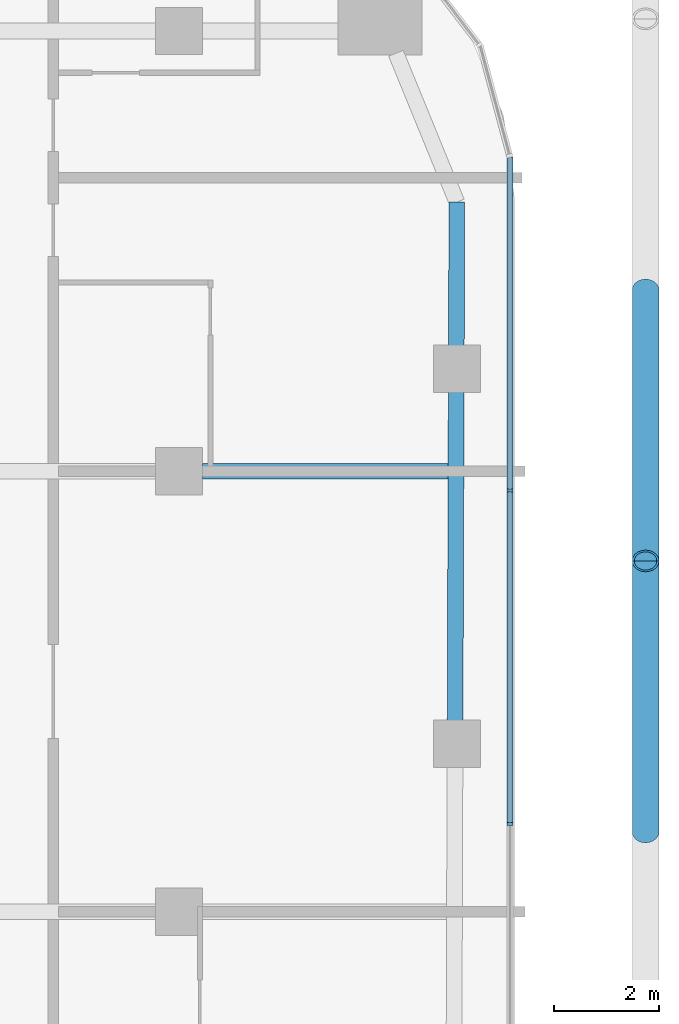
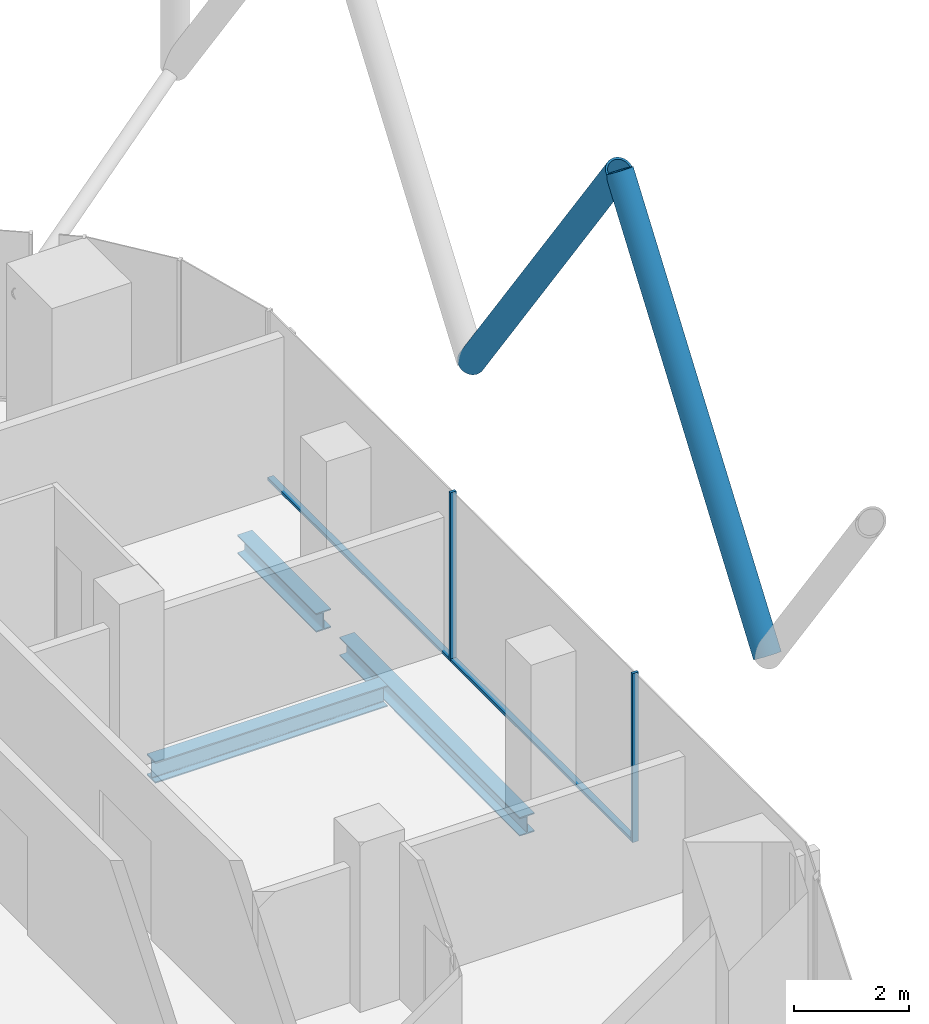
# One storey, part 13 of 33: 6 members, 3 beams, 1 element without a shape of its own.
"""IFC4 building model written with IfcOpenShell, lengths in metres."""

from ifc_helpers import new_model, si_unit, direction, frame, origin, origin_2d, place, context, subcontext, project, spatial, rectangle, hollow_circle, i_section, extrude, material, layer, layer_set, material_profile, profile_set, type_object, element, aggregate, save


model = new_model("IFC4")

# Units and contexts
model_context = context("Model", 3, precision=1e-05, world=origin(), true_north=direction((0.0, 1.0)))
body_context = subcontext(model_context, "Body", "Model", "MODEL_VIEW")
ifc_project = project(units=[si_unit("LENGTHUNIT", "METRE"), si_unit("AREAUNIT", "SQUARE_METRE"), si_unit("VOLUMEUNIT", "CUBIC_METRE"), si_unit("PLANEANGLEUNIT", "RADIAN"), si_unit("MASSUNIT", "GRAM", prefix="KILO")], contexts=[model_context])

# Site, building, storey
site_placement = place(None, origin())
site = spatial("IfcSite", under=ifc_project, at=site_placement, CompositionType="ELEMENT")
building_placement = place(site_placement, origin())
building = spatial("IfcBuilding", under=site, at=building_placement, Name="Marenta Gate Hotel Tower", CompositionType="ELEMENT")
storey_placement = place(building_placement, frame((0.0, 0.0, 151.699951171875)))
storey = spatial("IfcBuildingStorey", under=building, at=storey_placement, Name="L35", CompositionType="ELEMENT", Elevation=151.699951171875)

# Members
ifc_material_1 = material(Name="Steel S355J2W", Category="steel")
ifc_material_profile_1 = material_profile(ifc_material_1, hollow_circle(Radius=0.25390625, WallThickness=0.0400390625, at=origin_2d()), Name="CHS 508x40")
ifc_profile_set_1 = profile_set([ifc_material_profile_1], Name="Steel S355J2W")
member_type_1 = type_object("IfcMemberType", Name="Diagrid diagonal Z2 CHS 508x40", PredefinedType="BRACE", material=ifc_profile_set_1)
member_1_placement = place(storey_placement, frame((29.89990234375, 20.260009765625, 3.14013671875), z_axis=(0.0, -0.583260841117, 0.812284919975), x_axis=(1.0, 0.0, 0.0)))
element("IfcMember", 1, at=member_1_placement, inside=storey, type_object=member_type_1, Name="L35-DG-3", PredefinedType="BRACE", context=body_context, shape_type="SweptSolid", body=[
    extrude(hollow_circle(Radius=0.25390625, WallThickness=0.0400390625, at=origin_2d()), origin(), (0.0, 0.0, 1.0), 8.86376953125),
])
member_2_placement = place(storey_placement, frame((29.89990234375, 9.919921875, 3.14013671875), z_axis=(0.0, 0.583279014058, 0.812271870595), x_axis=(-1.0, 0.0, 0.0)))
element("IfcMember", 2, at=member_2_placement, inside=storey, type_object=member_type_1, Name="L35-DG-4", PredefinedType="BRACE", context=body_context, shape_type="SweptSolid", body=[
    extrude(hollow_circle(Radius=0.25390625, WallThickness=0.0400390625, at=origin_2d()), origin(), (0.0, 0.0, 1.0), 8.864013671875),
])

# Beams
ifc_material_2 = material(Name="Steel S355", Category="steel")
ifc_material_profile_2 = material_profile(ifc_material_2, i_section(OverallWidth=0.300048828125, OverallDepth=0.39990234375, WebThickness=0.013427734375, FlangeThickness=0.02392578125, FilletRadius=0.027099609375, at=origin_2d()), Name="HEB 400")
ifc_profile_set_2 = profile_set([ifc_material_profile_2], Name="Steel S355")
beam_type_1 = type_object("IfcBeamType", Name="Edge beam HEB 400", PredefinedType="SPANDREL", material=ifc_profile_set_2)
beam_1_placement = place(storey_placement, frame((26.300048828125, 21.9345703125, -0.4599609375), z_axis=(-0.003351542298, -0.999994383566, 0.0), x_axis=(0.999994383566, -0.003351542298, 0.0)))
element("IfcBeam", 3, at=beam_1_placement, inside=storey, type_object=beam_type_1, Name="L35-EB-22", PredefinedType="SPANDREL", context=body_context, shape_type="SweptSolid", body=[
    extrude(i_section(OverallWidth=0.300048828125, OverallDepth=0.39990234375, WebThickness=0.013427734375, FlangeThickness=0.02392578125, FilletRadius=0.027099609375, at=origin_2d()), origin(), (0.0, 0.0, 1.0), 2.76806640625),
])
beam_2_placement = place(storey_placement, frame((26.2880859375, 18.346435546875, -0.4599609375), z_axis=(-0.00335374545, -0.99999437618, 0.0), x_axis=(0.99999437618, -0.00335374545, 0.0)))
element("IfcBeam", 4, at=beam_2_placement, inside=storey, type_object=beam_type_1, Name="L35-EB-23", PredefinedType="SPANDREL", context=body_context, shape_type="SweptSolid", body=[
    extrude(i_section(OverallWidth=0.300048828125, OverallDepth=0.39990234375, WebThickness=0.013427734375, FlangeThickness=0.02392578125, FilletRadius=0.027099609375, at=origin_2d()), origin(), (0.0, 0.0, 1.0), 6.333251953125),
])
ifc_material_3 = material(Name="Steel S355", Category="steel")
ifc_material_profile_3 = material_profile(ifc_material_3, i_section(OverallWidth=0.300048828125, OverallDepth=0.449951171875, WebThickness=0.013916015625, FlangeThickness=0.02587890625, FilletRadius=0.027099609375, at=origin_2d()), Name="HEB 450")
ifc_profile_set_3 = profile_set([ifc_material_profile_3], Name="Steel S355")
beam_type_2 = type_object("IfcBeamType", Name="Girder HEB 450", PredefinedType="BEAM", material=ifc_profile_set_3)
beam_3_placement = place(storey_placement, frame((21.449951171875, 16.800048828125, -0.48486328125), z_axis=(1.0, 0.0, 0.0), x_axis=(0.0, 1.0, 0.0)))
element("IfcBeam", 5, at=beam_3_placement, inside=storey, type_object=beam_type_2, Name="L35-GD-28", PredefinedType="BEAM", context=body_context, shape_type="SweptSolid", body=[
    extrude(i_section(OverallWidth=0.300048828125, OverallDepth=0.449951171875, WebThickness=0.013916015625, FlangeThickness=0.02587890625, FilletRadius=0.027099609375, at=origin_2d()), origin(), (0.0, 0.0, 1.0), 4.682861328125),
])

# Curtain wall, members
ifc_material_4 = material(Name="Tinted insulated glass in bronze anodised frame", Category="glass")
ifc_layer = layer(ifc_material_4, 0.1201171875)
ifc_layer_set = layer_set([ifc_layer], Name="Tinted insulated glass in bronze anodised frame")
curtain_wall_type = type_object("IfcCurtainWallType", Name="Tower unitised curtain wall CW1", PredefinedType="NOTDEFINED", material=ifc_layer_set)
curtain_wall_placement = place(storey_placement, origin())
curtain_wall = element("IfcCurtainWall", 6, at=curtain_wall_placement, inside=storey, type_object=curtain_wall_type, Name="CW1 run G19", PredefinedType="NOTDEFINED")
ifc_material_5 = material(Name="Bronze anodised aluminium", Category="aluminium")
ifc_material_profile_4 = material_profile(ifc_material_5, rectangle(XDim=0.1201171875, YDim=0.06005859375, at=origin_2d()), Name="Mullion CW1 60x120 bronze anodised aluminium")
ifc_profile_set_4 = profile_set([ifc_material_profile_4], Name="Bronze anodised aluminium")
member_type_2 = type_object("IfcMemberType", Name="Mullion CW1 60x120 bronze anodised aluminium", PredefinedType="MULLION", material=ifc_profile_set_4)
member_3_placement = place(storey_placement, frame((27.31396484375, 10.072021484375, 0.0), z_axis=(0.0, 0.0, 1.0), x_axis=(-1.0, 0.0, 0.0)))
member_3 = element("IfcMember", 7, at=member_3_placement, type_object=member_type_2, Name="CW1 mullion 5", PredefinedType="MULLION", context=body_context, shape_type="SweptSolid", body=[
    extrude(rectangle(XDim=0.1201171875, YDim=0.06005859375, at=origin_2d()), origin(), (0.0, 0.0, 1.0), 3.60009765625),
])
member_4_placement = place(storey_placement, frame((27.31396484375, 16.431884765625, 0.0), z_axis=(0.0, 0.0, 1.0), x_axis=(-1.0, 0.0, 0.0)))
member_4 = element("IfcMember", 8, at=member_4_placement, type_object=member_type_2, Name="CW1 mullion 6", PredefinedType="MULLION", context=body_context, shape_type="SweptSolid", body=[
    extrude(rectangle(XDim=0.1201171875, YDim=0.06005859375, at=origin_2d()), origin(), (0.0, 0.0, 1.0), 3.60009765625),
])
ifc_material_6 = material(Name="Bronze anodised aluminium", Category="aluminium")
ifc_material_profile_5 = material_profile(ifc_material_6, rectangle(XDim=0.1201171875, YDim=0.06005859375, at=origin_2d()), Name="Transom CW1 60x120 bronze anodised aluminium")
ifc_profile_set_5 = profile_set([ifc_material_profile_5], Name="Bronze anodised aluminium")
member_type_3 = type_object("IfcMemberType", Name="Transom CW1 60x120 bronze anodised aluminium", PredefinedType="USERDEFINED", material=ifc_profile_set_5)
member_5_placement = place(storey_placement, frame((27.31396484375, 10.10205078125, 0.030029296875), z_axis=(0.0, 1.0, 0.0), x_axis=(-1.0, 0.0, 0.0)))
member_5 = element("IfcMember", 9, at=member_5_placement, type_object=member_type_3, Name="CW1 transom 5.1", ObjectType="TRANSOM", PredefinedType="USERDEFINED", context=body_context, shape_type="SweptSolid", body=[
    extrude(rectangle(XDim=0.1201171875, YDim=0.06005859375, at=origin_2d()), origin(), (0.0, 0.0, 1.0), 6.2998046875),
])
member_6_placement = place(storey_placement, frame((27.31396484375, 16.4619140625, 0.030029296875), z_axis=(0.0, 1.0, 0.0), x_axis=(-1.0, 0.0, 0.0)))
member_6 = element("IfcMember", 10, at=member_6_placement, type_object=member_type_3, Name="CW1 transom 6.1", ObjectType="TRANSOM", PredefinedType="USERDEFINED", context=body_context, shape_type="SweptSolid", body=[
    extrude(rectangle(XDim=0.1201171875, YDim=0.06005859375, at=origin_2d()), origin(), (0.0, 0.0, 1.0), 6.330078125),
])
aggregate(curtain_wall, [member_3, member_4, member_5, member_6])

save(model, "model.ifc")
